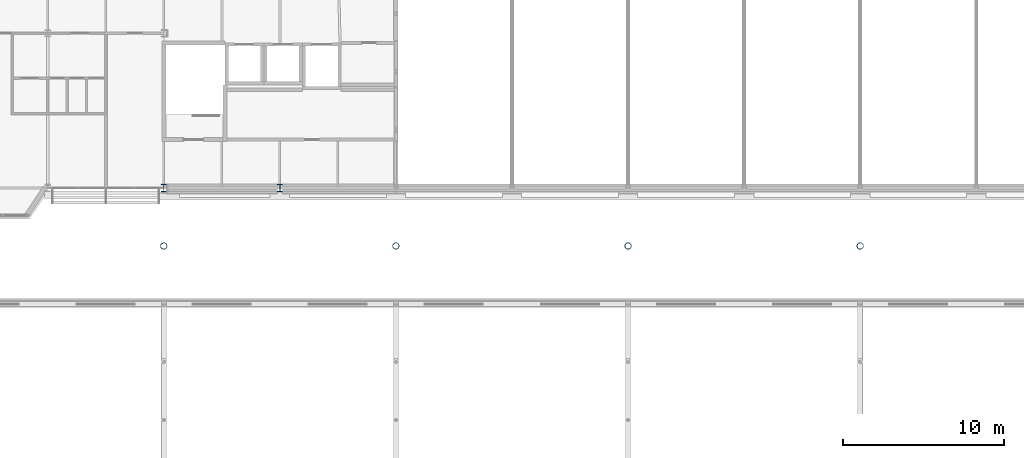
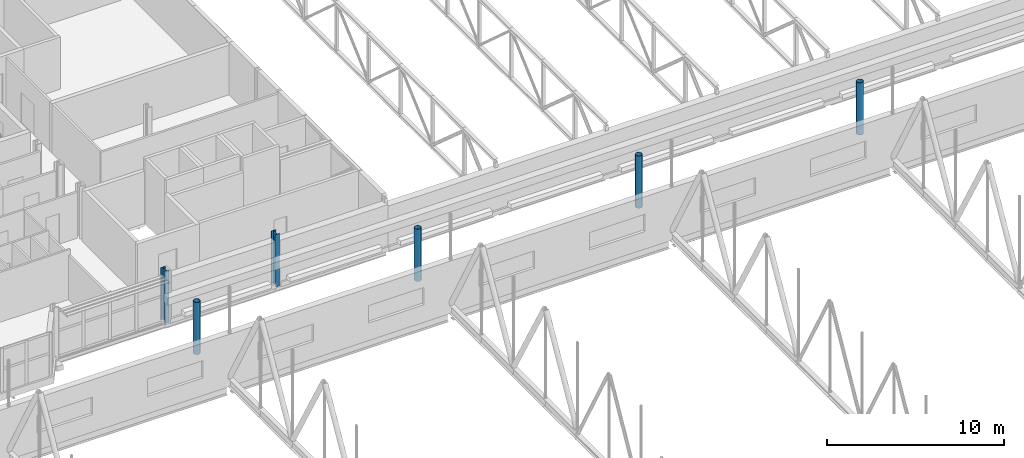
# One storey, part 18 of 142: 6 columns.
"""IFC4 building model written with IfcOpenShell, lengths in metres."""

from ifc_helpers import new_model, si_unit, direction, frame, origin, origin_2d, place, context, subcontext, project, spatial, hollow_circle, i_section, extrude, material, material_profile, profile_set, type_object, element, save


model = new_model("IFC4")

# Units and contexts
model_context = context("Model", 3, precision=1e-05, world=origin(), true_north=direction((0.0, 1.0)))
body_context = subcontext(model_context, "Body", "Model", "MODEL_VIEW")
ifc_project = project(units=[si_unit("LENGTHUNIT", "METRE"), si_unit("AREAUNIT", "SQUARE_METRE"), si_unit("VOLUMEUNIT", "CUBIC_METRE"), si_unit("PLANEANGLEUNIT", "RADIAN"), si_unit("MASSUNIT", "GRAM", prefix="KILO")], contexts=[model_context])

# Site, building, storey
site_placement = place(None, origin())
site = spatial("IfcSite", under=ifc_project, at=site_placement, CompositionType="ELEMENT")
building_placement = place(site_placement, origin())
building = spatial("IfcBuilding", under=site, at=building_placement, Name="Kupolbacken Congress Centre", CompositionType="ELEMENT")
storey_placement = place(building_placement, frame((0.0, 0.0, 14.39990234375)))
storey = spatial("IfcBuildingStorey", under=building, at=storey_placement, Name="L04", CompositionType="ELEMENT", Elevation=14.39990234375)

# Columns
ifc_material_1 = material(Name="Steel S355", Category="steel")
ifc_material_profile_1 = material_profile(ifc_material_1, i_section(OverallWidth=0.300048828125, OverallDepth=0.449951171875, WebThickness=0.013916015625, FlangeThickness=0.02587890625, FilletRadius=0.027099609375, at=origin_2d()), Name="HEB 450")
ifc_profile_set_1 = profile_set([ifc_material_profile_1], Name="Steel S355")
column_type_1 = type_object("IfcColumnType", Name="C03 column HEB 450", PredefinedType="COLUMN", material=ifc_profile_set_1)
for number, where, z_axis, x_axis, name in (
    (1, (144.0, 122.39990234375, 0.0), (0.0, 0.0, 1.0), (1.0, 0.0, 0.0), "S/col/C-BF-21T/L04"),
    (2, (136.800048828125, 122.39990234375, 0.0), (0.0, 0.0, 1.0), (1.0, 0.0, 0.0), "S/col/C-T-20T/L04"),
):
    element("IfcColumn", number, at=place(storey_placement, frame(where, z_axis=z_axis, x_axis=x_axis)), inside=storey, type_object=column_type_1, Name=name, PredefinedType="COLUMN", context=body_context, shape_type="SweptSolid", body=[
        extrude(i_section(OverallWidth=0.300048828125, OverallDepth=0.449951171875, WebThickness=0.013916015625, FlangeThickness=0.02587890625, FilletRadius=0.027099609375, at=origin_2d()), origin(), (0.0, 0.0, 1.0), 3.60009765625),
    ])
ifc_material_2 = material(Name="Steel S355", Category="steel")
ifc_material_profile_2 = material_profile(ifc_material_2, hollow_circle(Radius=0.203125, WallThickness=0.01611328125, at=origin_2d()), Name="CHS 406.4 x 16")
ifc_profile_set_2 = profile_set([ifc_material_profile_2], Name="Steel S355")
column_type_2 = type_object("IfcColumnType", Name="C15 roof mast CHS 406.4 x 16", PredefinedType="COLUMN", material=ifc_profile_set_2)
for number, where, z_axis, x_axis, name in (
    (3, (136.800048828125, 118.800048828125, 0.0), (0.0, 0.0, 1.0), (1.0, 0.0, 0.0), "Roof mast M4N"),
    (4, (151.199951171875, 118.800048828125, 0.0), (0.0, 0.0, 1.0), (1.0, 0.0, 0.0), "Roof mast M5N"),
    (5, (165.60009765625, 118.800048828125, 0.0), (0.0, 0.0, 1.0), (1.0, 0.0, 0.0), "Roof mast M6N"),
    (6, (180.0, 118.800048828125, 0.0), (0.0, 0.0, 1.0), (1.0, 0.0, 0.0), "Roof mast M7N"),
):
    element("IfcColumn", number, at=place(storey_placement, frame(where, z_axis=z_axis, x_axis=x_axis)), inside=storey, type_object=column_type_2, Name=name, PredefinedType="COLUMN", context=body_context, shape_type="SweptSolid", body=[
        extrude(hollow_circle(Radius=0.203125, WallThickness=0.01611328125, at=origin_2d()), origin(), (0.0, 0.0, 1.0), 3.60009765625),
    ])

save(model, "model.ifc")
